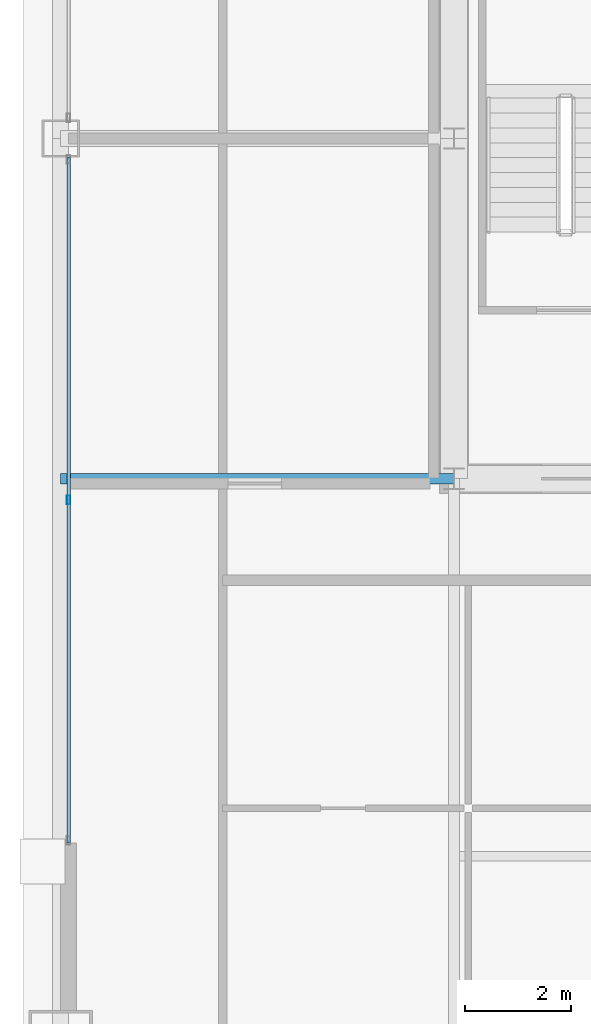
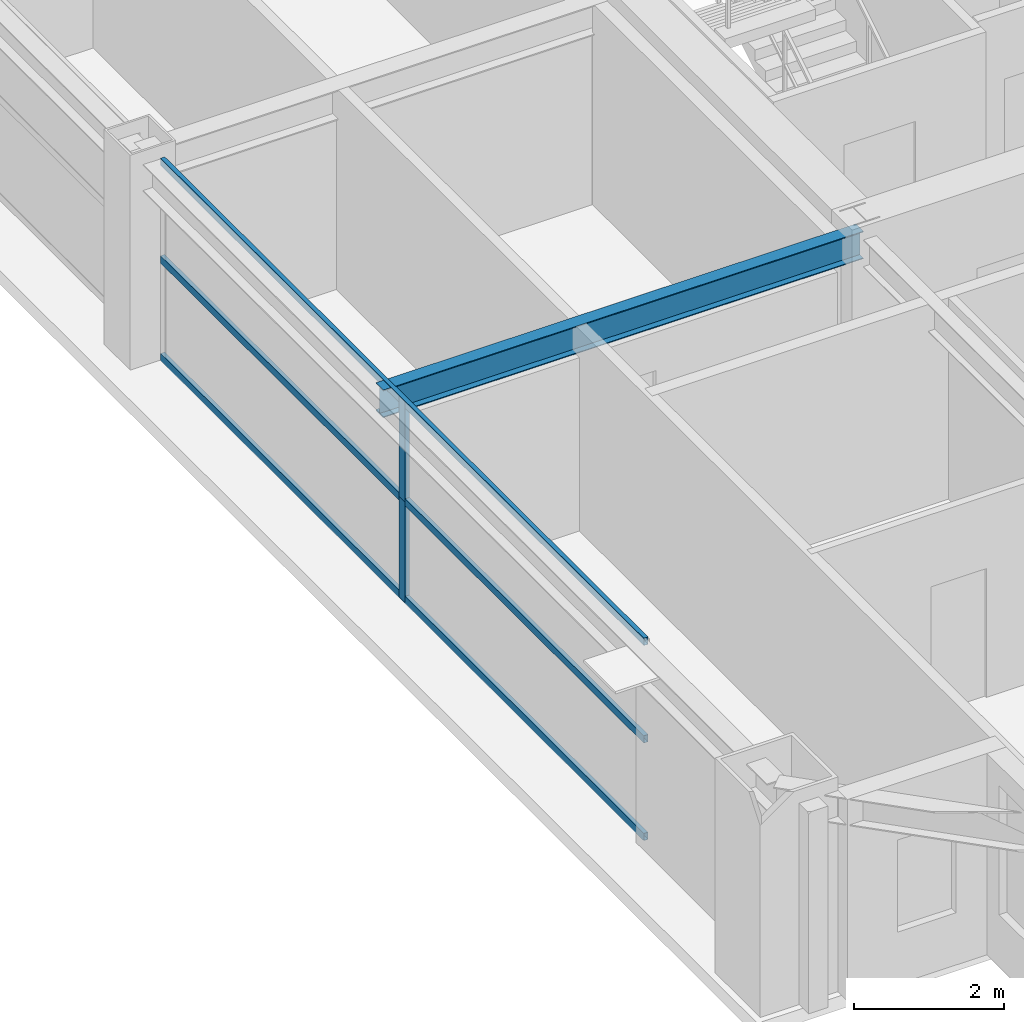
# One storey, part 7 of 36: 5 members, 1 beam, 1 element without a shape of its own.
"""IFC4 building model written with IfcOpenShell, lengths in metres."""

from ifc_helpers import new_model, si_unit, direction, frame, origin, origin_2d, place, context, subcontext, project, spatial, hollow_rectangle, i_section, extrude, source, transform, mapped, material, layer, layer_set, material_profile, profile_set, type_object, element, aggregate, save


model = new_model("IFC4")

# Units and contexts
model_context = context("Model", 3, precision=1e-05, world=origin(), true_north=direction((0.0, 1.0)))
body_context = subcontext(model_context, "Body", "Model", "MODEL_VIEW")
ifc_project = project(units=[si_unit("LENGTHUNIT", "METRE"), si_unit("AREAUNIT", "SQUARE_METRE"), si_unit("VOLUMEUNIT", "CUBIC_METRE"), si_unit("PLANEANGLEUNIT", "RADIAN"), si_unit("MASSUNIT", "GRAM", prefix="KILO"), si_unit("THERMODYNAMICTEMPERATUREUNIT", "KELVIN"), si_unit("POWERUNIT", "WATT")], contexts=[model_context])

# Site, building, storey
site_placement = place(None, origin())
site = spatial("IfcSite", under=ifc_project, at=site_placement, CompositionType="ELEMENT")
building_placement = place(site_placement, origin())
building = spatial("IfcBuilding", under=site, at=building_placement, Name="Yuzanri Waterfront Tower", CompositionType="ELEMENT")
storey_placement = place(building_placement, frame((0.0, 0.0, 231.10009765625)))
storey = spatial("IfcBuildingStorey", under=building, at=storey_placement, Name="L61", CompositionType="ELEMENT", Elevation=231.10009765625)

# Beam
ifc_material_1 = material(Name="Steel Q355B", Category="steel")
ifc_material_profile_1 = material_profile(ifc_material_1, i_section(OverallWidth=0.199951171875, OverallDepth=0.449951171875, WebThickness=0.009033203125, FlangeThickness=0.013916015625, at=origin_2d()), Name="HN 450x200x9x14")
ifc_profile_set_1 = profile_set([ifc_material_profile_1], Name="Steel Q355B")
beam_type = type_object("IfcBeamType", Name="Secondary Floor Beam Q355B HN 450x200", PredefinedType="BEAM", material=ifc_profile_set_1)
shared_shape_1 = source(origin(), body_context, "Body", "SweptSolid", [
    extrude(i_section(OverallWidth=0.199951171875, OverallDepth=0.449951171875, WebThickness=0.009033203125, FlangeThickness=0.013916015625, at=origin_2d()), origin(), (0.0, 0.0, 1.0), 7.400146484375),
])
beam_placement = place(storey_placement, frame((23.800048828125, 19.39990234375, 3.054931640625), z_axis=(-1.0, 0.0, 0.0), x_axis=(0.0, -1.0, 0.0)))
element("IfcBeam", 1, at=beam_placement, inside=storey, type_object=beam_type, Name="L61 West-South Core Line Beam", PredefinedType="BEAM", context=body_context, shape_type="MappedRepresentation", body=[
    mapped(shared_shape_1, transform((0.0, 0.0, 0.0), scale=1.0)),
])

# Curtain wall, members
ifc_material_2 = material(Name="Anodized Architectural Bronze", Category="metal")
ifc_layer = layer(ifc_material_2, 0.159912109375)
ifc_layer_set = layer_set([ifc_layer], Name="Anodized Architectural Bronze")
curtain_wall_type = type_object("IfcCurtainWallType", Name="Anodized Bronze Mid-Rise Residential Acoustic Unitized Curtain Wall 7200", PredefinedType="NOTDEFINED", material=ifc_layer_set)
curtain_wall_placement = place(storey_placement, origin())
curtain_wall = element("IfcCurtainWall", 2, at=curtain_wall_placement, inside=storey, type_object=curtain_wall_type, Name="L61 Curtain Wall CW-L61-WL", PredefinedType="NOTDEFINED")
ifc_material_3 = material(Name="Anodized Architectural Bronze", Category="metal")
ifc_material_profile_2 = material_profile(ifc_material_3, hollow_rectangle(XDim=0.06494140625, YDim=0.159912109375, WallThickness=0.00341796875, at=origin_2d()), Name="CWM 65x160")
ifc_profile_set_2 = profile_set([ifc_material_profile_2], Name="Anodized Architectural Bronze")
member_type_1 = type_object("IfcMemberType", Name="Anodized Bronze Upper-Zone Curtain-Wall Mullion 65x160", PredefinedType="MULLION", material=ifc_profile_set_2)
shared_shape_2 = source(origin(), body_context, "Body", "SweptSolid", [
    extrude(hollow_rectangle(XDim=0.06494140625, YDim=0.159912109375, WallThickness=0.00341796875, at=origin_2d()), origin(), (0.0, 0.0, 1.0), 1.637939453125),
])
member_1_placement = place(storey_placement, frame((16.550048828125, 19.0, 0.0), z_axis=(0.0, 0.0, 1.0), x_axis=(1.0, 0.0, 0.0)))
member_1 = element("IfcMember", 3, at=member_1_placement, type_object=member_type_1, Name="CW-L61-WL Lower Mullion 01", PredefinedType="MULLION", context=body_context, shape_type="MappedRepresentation", body=[
    mapped(shared_shape_2, transform((0.0, 0.0, 0.0), scale=1.0)),
])
member_2_placement = place(storey_placement, frame((16.550048828125, 19.0, 1.641845703125), z_axis=(0.0, 0.0, 1.0), x_axis=(1.0, 0.0, 0.0)))
member_2 = element("IfcMember", 4, at=member_2_placement, type_object=member_type_1, Name="CW-L61-WL Upper Mullion 01", PredefinedType="MULLION", context=body_context, shape_type="MappedRepresentation", body=[
    mapped(shared_shape_2, transform((0.0, 0.0, 0.0), scale=1.0)),
])
ifc_material_4 = material(Name="Anodized Architectural Bronze", Category="metal")
ifc_material_profile_3 = material_profile(ifc_material_4, hollow_rectangle(XDim=0.06494140625, YDim=0.1201171875, WallThickness=0.00341796875, at=origin_2d()), Name="CWT 65x120")
ifc_profile_set_3 = profile_set([ifc_material_profile_3], Name="Anodized Architectural Bronze")
member_type_2 = type_object("IfcMemberType", Name="Anodized Bronze Secondary Curtain-Wall Transom 65x120", PredefinedType="USERDEFINED", material=ifc_profile_set_3)
shared_shape_3 = source(origin(), body_context, "Body", "SweptSolid", [
    extrude(hollow_rectangle(XDim=0.06494140625, YDim=0.1201171875, WallThickness=0.00341796875, at=origin_2d()), origin(), (0.0, 0.0, 1.0), 12.89990234375),
])
member_3_placement = place(storey_placement, frame((16.550048828125, 12.550048828125, 0.0498046875), z_axis=(0.0, 1.0, 0.0), x_axis=(-1.0, 0.0, 0.0)))
member_3 = element("IfcMember", 5, at=member_3_placement, type_object=member_type_2, Name="CW-L61-WL Transom 1", ObjectType="TRANSOM", PredefinedType="USERDEFINED", context=body_context, shape_type="MappedRepresentation", body=[
    mapped(shared_shape_3, transform((0.0, 0.0, 0.0), scale=1.0)),
])
member_4_placement = place(storey_placement, frame((16.550048828125, 12.550048828125, 1.639892578125), z_axis=(0.0, 1.0, 0.0), x_axis=(-1.0, 0.0, 0.0)))
member_4 = element("IfcMember", 6, at=member_4_placement, type_object=member_type_2, Name="CW-L61-WL Transom 2", ObjectType="TRANSOM", PredefinedType="USERDEFINED", context=body_context, shape_type="MappedRepresentation", body=[
    mapped(shared_shape_3, transform((0.0, 0.0, 0.0), scale=1.0)),
])
member_5_placement = place(storey_placement, frame((16.550048828125, 12.550048828125, 3.22998046875), z_axis=(0.0, 1.0, 0.0), x_axis=(-1.0, 0.0, 0.0)))
member_5 = element("IfcMember", 7, at=member_5_placement, type_object=member_type_2, Name="CW-L61-WL Transom 3", ObjectType="TRANSOM", PredefinedType="USERDEFINED", context=body_context, shape_type="MappedRepresentation", body=[
    mapped(shared_shape_3, transform((0.0, 0.0, 0.0), scale=1.0)),
])
aggregate(curtain_wall, [member_1, member_2, member_3, member_4, member_5])

save(model, "model.ifc")
